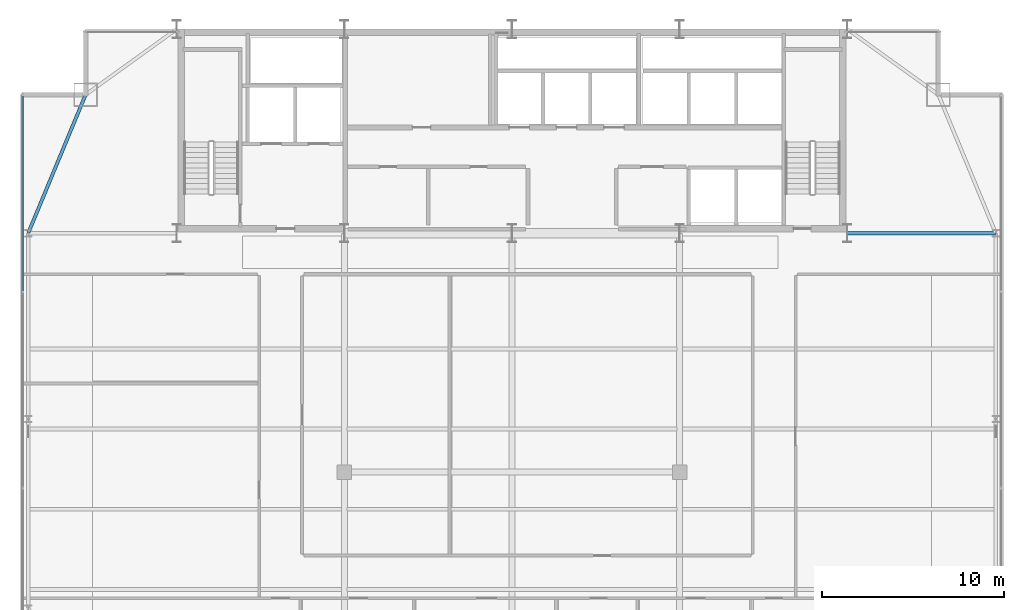
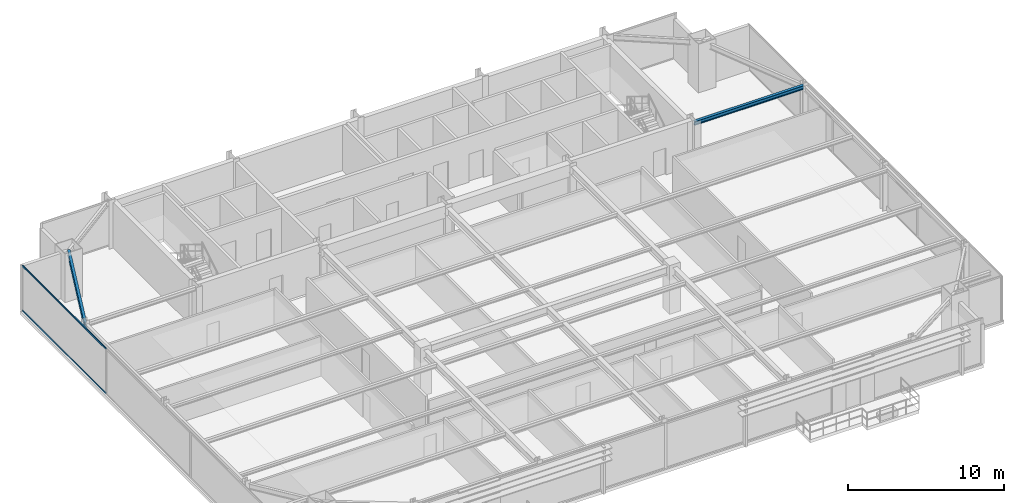
# One storey, part 18 of 30: 2 beams, 2 members, 1 element without a shape of its own.
"""IFC4 building model written with IfcOpenShell, lengths in metres."""

import ifcopenshell
import ifcopenshell.guid

model = None  # the IFC model being written
_history = None  # IfcOwnerHistory: only IFC2X3 demands one
_inside = {}  # id of a spatial element -> (the spatial element, [elements in it])
_under = {}  # id of a project, library or spatial element -> (it, [spatial elements below it])
_declared = {}  # id of a project -> (the project, [libraries it declares])
_typed = {}  # id of a type object -> (the type object, [elements of that type])
_made_of = {}  # id of a material, layer set ... -> (it, [elements and type objects made of it])


def new_model(schema):
    """Start an empty IFC model of exactly this schema.

    Asked for "IFC4X3", IfcOpenShell would pick the latest addendum, in which some entities
    have other attributes; the version numbers below select the first issue.
    IFC2X3 requires an IfcOwnerHistory on every rooted entity: one is made here for all.
    """
    global model, _history
    if schema == "IFC4X3":
        model = ifcopenshell.file(schema_version=(4, 3, 0, 0))
    else:
        model = ifcopenshell.file(schema=schema)
    _inside.clear()
    _under.clear()
    _declared.clear()
    _typed.clear()
    _made_of.clear()
    _history = None
    if model.schema == "IFC2X3":
        org = make("IfcOrganization", Name="unknown")
        user = make(
            "IfcPersonAndOrganization",
            ThePerson=make("IfcPerson", FamilyName="unknown"),
            TheOrganization=org,
        )
        app = make(
            "IfcApplication",
            ApplicationDeveloper=org,
            Version="unknown",
            ApplicationFullName="unknown",
            ApplicationIdentifier="unknown",
        )
        _history = make(
            "IfcOwnerHistory",
            OwningUser=user,
            OwningApplication=app,
            ChangeAction="ADDED",
            CreationDate=0,
        )
    return model


def make(cls, **values):
    """One entity of the class cls with the attributes given. An attribute that is None is left unset."""
    return model.create_entity(
        cls, **{name: value for name, value in values.items() if value is not None}
    )


def rooted(cls, **values):
    """An entity with a GlobalId (a new one), such as an element, a storey or a relation."""
    return make(cls, GlobalId=ifcopenshell.guid.new(), OwnerHistory=_history, **values)


def si_unit(unit_type, name, prefix=None):
    """IfcSIUnit, for example si_unit("LENGTHUNIT", "METRE", prefix="MILLI")."""
    return make("IfcSIUnit", UnitType=unit_type, Prefix=prefix, Name=name)


def assignment(units):
    """IfcUnitAssignment: the units of a project."""
    return None if units is None else make("IfcUnitAssignment", Units=units)


def point(xyz):
    """IfcCartesianPoint."""
    return None if xyz is None else make("IfcCartesianPoint", Coordinates=xyz)


def direction(xyz):
    """IfcDirection."""
    return None if xyz is None else make("IfcDirection", DirectionRatios=xyz)


def frame(location, z_axis=None, x_axis=None):
    """IfcAxis2Placement3D, a coordinate frame: its origin and axes. An axis left out is left unset."""
    return make(
        "IfcAxis2Placement3D",
        Location=point(location),
        Axis=direction(z_axis),
        RefDirection=direction(x_axis),
    )


def frame_2d(location, x_axis=None):
    """IfcAxis2Placement2D, a coordinate frame in the plane: its origin and x axis."""
    return make(
        "IfcAxis2Placement2D", Location=point(location), RefDirection=direction(x_axis)
    )


def origin():
    """The frame at (0, 0, 0) with its axes left unset."""
    return frame((0.0, 0.0, 0.0))


def origin_2d():
    """The frame at (0, 0) in the plane with its x axis left unset."""
    return frame_2d((0.0, 0.0))


def place(relative_to, where):
    """IfcLocalPlacement: puts the frame where relative to a parent placement (None: the world)."""
    return make(
        "IfcLocalPlacement", PlacementRelTo=relative_to, RelativePlacement=where
    )


def context(
    kind, dimensions, precision=None, world=None, true_north=None, identifier=None
):
    """IfcGeometricRepresentationContext, for example the 3D "Model" context."""
    return make(
        "IfcGeometricRepresentationContext",
        ContextIdentifier=identifier,
        ContextType=kind,
        CoordinateSpaceDimension=dimensions,
        Precision=precision,
        WorldCoordinateSystem=world,
        TrueNorth=true_north,
    )


def subcontext(parent, identifier, kind, view, scale=None):
    """IfcGeometricRepresentationSubContext, for example "Body" below "Model"."""
    return make(
        "IfcGeometricRepresentationSubContext",
        ContextIdentifier=identifier,
        ContextType=kind,
        ParentContext=parent,
        TargetScale=scale,
        TargetView=view,
    )


def project(units=None, contexts=None):
    """IfcProject with its units and contexts."""
    return rooted(
        "IfcProject",
        Name="project",
        RepresentationContexts=contexts,
        UnitsInContext=assignment(units),
    )


def spatial(cls, under=None, at=None, **own):
    """A site, building, storey or space (cls), placed at a placement, below another one or the project."""
    s = rooted(cls, ObjectPlacement=at, **own)
    if under is not None:
        _under.setdefault(under.id(), (under, []))[1].append(s)
    return s


def profile(cls, at=None, kind="AREA", **sizes):
    """A parametric profile (cls). Its sizes go by their IFC names, for example OverallWidth=200.0."""
    return make(cls, ProfileType=kind, Position=at, **sizes)


def hollow_rectangle(**sizes):
    """IfcRectangleHollowProfileDef."""
    return profile("IfcRectangleHollowProfileDef", **sizes)


def i_section(**sizes):
    """IfcIShapeProfileDef."""
    return profile("IfcIShapeProfileDef", **sizes)


def extrude(swept, where, along, depth):
    """IfcExtrudedAreaSolid: the profile swept, set in the frame where, extruded along a direction by depth."""
    return make(
        "IfcExtrudedAreaSolid",
        SweptArea=swept,
        Position=where,
        ExtrudedDirection=direction(along),
        Depth=depth,
    )


def shape(context_of_items, identifier, shape_type, items):
    """IfcShapeRepresentation: the items that make up one representation, for example the "Body"."""
    return make(
        "IfcShapeRepresentation",
        ContextOfItems=context_of_items,
        RepresentationIdentifier=identifier,
        RepresentationType=shape_type,
        Items=items,
    )


def source(mapping_origin, context_of_items, identifier, shape_type, items):
    """IfcRepresentationMap: a shape defined once, which mapped items show again and again."""
    return make(
        "IfcRepresentationMap",
        MappingOrigin=mapping_origin,
        MappedRepresentation=shape(context_of_items, identifier, shape_type, items),
    )


def transform(
    local_origin,
    x_axis=None,
    y_axis=None,
    z_axis=None,
    scale=None,
    scale2=None,
    scale3=None,
    uniform=True,
):
    """IfcCartesianTransformationOperator3D, or its non-uniform kind. x_axis, y_axis, z_axis: its Axis1, 2, 3."""
    if uniform:
        return make(
            "IfcCartesianTransformationOperator3D",
            Axis1=direction(x_axis),
            Axis2=direction(y_axis),
            LocalOrigin=point(local_origin),
            Scale=scale,
            Axis3=direction(z_axis),
        )
    return make(
        "IfcCartesianTransformationOperator3DnonUniform",
        Axis1=direction(x_axis),
        Axis2=direction(y_axis),
        LocalOrigin=point(local_origin),
        Scale=scale,
        Axis3=direction(z_axis),
        Scale2=scale2,
        Scale3=scale3,
    )


def mapped(mapping_source, mapping_target):
    """IfcMappedItem: shows the shape of a source again, moved by a transform."""
    return make(
        "IfcMappedItem", MappingSource=mapping_source, MappingTarget=mapping_target
    )


def material(Name=None, Category=None):
    """IfcMaterial."""
    return make("IfcMaterial", Name=Name, Category=Category)


def layer(
    of_material, thickness, ventilated=None, Name=None, Category=None, Priority=None
):
    """IfcMaterialLayer: one layer of a wall or slab, of a material (None: an air gap)."""
    return make(
        "IfcMaterialLayer",
        Material=of_material,
        LayerThickness=thickness,
        IsVentilated=ventilated,
        Name=Name,
        Category=Category,
        Priority=Priority,
    )


def layer_set(layers, Name=None):
    """IfcMaterialLayerSet."""
    return make("IfcMaterialLayerSet", MaterialLayers=layers, LayerSetName=Name)


def material_profile(
    of_material, cross_section, Name=None, Category=None, Priority=None
):
    """IfcMaterialProfile: a cross section and its material."""
    return make(
        "IfcMaterialProfile",
        Name=Name,
        Material=of_material,
        Profile=cross_section,
        Priority=Priority,
        Category=Category,
    )


def profile_set(profiles, Name=None, composite=None):
    """IfcMaterialProfileSet."""
    return make(
        "IfcMaterialProfileSet",
        Name=Name,
        MaterialProfiles=profiles,
        CompositeProfile=composite,
    )


def made_of(thing, what):
    """Note that an element or type object is made of a material, layer set ...; save() writes the relation."""
    if what is not None:
        _made_of.setdefault(what.id(), (what, []))[1].append(thing)
    return thing


def type_object(cls, material=None, **own):
    """A type object (cls), such as IfcWallType, which elements share."""
    return made_of(rooted(cls, **own), material)


def type_shapes(of_type, sources):
    """Give a type object the sources (RepresentationMaps) that its elements show as mapped items."""
    of_type.RepresentationMaps = sources


def element(
    cls,
    number,
    at=None,
    inside=None,
    cuts=None,
    type_object=None,
    material=None,
    context=None,
    identifier="Body",
    shape_type=None,
    held_by="IfcProductDefinitionShape",
    body=None,
    shapes=None,
    **own,
):
    """One element of the class cls, such as IfcWall. Its Tag is "e" and its number.

    at: its placement. inside: the storey or other place that contains it. cuts: it is an
    opening in that element (IfcRelVoidsElement). A single representation is given by context,
    identifier, shape_type and body (its items); several are given by shapes. held_by: the class
    of the entity that holds the representations. save() writes the other relations.
    """
    e = rooted(cls, Tag="e%d" % number, ObjectPlacement=at, **own)
    if body is not None:
        shapes = [shape(context, identifier, shape_type, body)]
    if shapes is not None:
        e.Representation = make(held_by, Representations=shapes)
    if inside is not None:
        _inside.setdefault(inside.id(), (inside, []))[1].append(e)
    if cuts is not None:
        rooted(
            "IfcRelVoidsElement", RelatingBuildingElement=cuts, RelatedOpeningElement=e
        )
    if type_object is not None:
        _typed.setdefault(type_object.id(), (type_object, []))[1].append(e)
    return made_of(e, material)


def aggregate(whole, parts):
    """IfcRelAggregates: a whole, such as a stair, and the parts it consists of."""
    return rooted("IfcRelAggregates", RelatingObject=whole, RelatedObjects=parts)


def save(model, path):
    """Write the relations noted so far, then the file.

    IfcRelAggregates (storeys below a building ...), IfcRelContainedInSpatialStructure (elements
    in a storey), IfcRelDefinesByType, IfcRelAssociatesMaterial and IfcRelDeclares: one each for
    every whole, place, type object, material and project.
    """
    for whole, parts in _under.values():
        aggregate(whole, parts)
    for where, things in _inside.values():
        rooted(
            "IfcRelContainedInSpatialStructure",
            RelatedElements=things,
            RelatingStructure=where,
        )
    for kind, things in _typed.values():
        rooted("IfcRelDefinesByType", RelatedObjects=things, RelatingType=kind)
    for what, things in _made_of.values():
        rooted("IfcRelAssociatesMaterial", RelatedObjects=things, RelatingMaterial=what)
    for by, libraries in _declared.values():
        rooted("IfcRelDeclares", RelatingContext=by, RelatedDefinitions=libraries)
    model.write(path)


model = new_model("IFC4")

# Units and contexts
model_context = context("Model", 3, precision=1e-05, world=origin(), true_north=direction((0.0, 1.0)))
body_context = subcontext(model_context, "Body", "Model", "MODEL_VIEW")
ifc_project = project(units=[si_unit("LENGTHUNIT", "METRE"), si_unit("AREAUNIT", "SQUARE_METRE"), si_unit("VOLUMEUNIT", "CUBIC_METRE"), si_unit("PLANEANGLEUNIT", "RADIAN"), si_unit("MASSUNIT", "GRAM", prefix="KILO")], contexts=[model_context])

# Site, building, storey
site_placement = place(None, origin())
site = spatial("IfcSite", under=ifc_project, at=site_placement, CompositionType="ELEMENT")
building_placement = place(site_placement, origin())
building = spatial("IfcBuilding", under=site, at=building_placement, Name="Varnel Quay Broadcast Tower", CompositionType="ELEMENT")
storey_placement = place(building_placement, frame((0.0, 0.0, 168.60009765625)))
storey = spatial("IfcBuildingStorey", under=building, at=storey_placement, Name="L41", CompositionType="ELEMENT", Elevation=168.60009765625)

# Beams
ifc_material_1 = material(Name="Structural Steel CSA G40.21 350W", Category="steel")
ifc_material_profile_1 = material_profile(ifc_material_1, i_section(OverallWidth=0.180908203125, OverallDepth=0.4169921875, WebThickness=0.010986328125, FlangeThickness=0.018310546875, FilletRadius=0.011962890625, at=origin_2d()), Name="W410X85")
ifc_profile_set_1 = profile_set([ifc_material_profile_1], Name="Structural Steel CSA G40.21 350W")
beam_type_1 = type_object("IfcBeamType", Name="Beam_W410X85", PredefinedType="SPANDREL", material=ifc_profile_set_1)
shared_shape_1 = source(origin(), body_context, "Body", "SweptSolid", [
    extrude(i_section(OverallWidth=0.180908203125, OverallDepth=0.4169921875, WebThickness=0.010986328125, FlangeThickness=0.018310546875, FilletRadius=0.011962890625, at=origin_2d()), origin(), (0.0, 0.0, 1.0), 8.186767578125),
])
type_shapes(beam_type_1, [shared_shape_1])
beam_1_placement = place(storey_placement, frame((7.457763671875, 35.618408203125, 3.34130859375), z_axis=(0.382874132092, 0.923800519038, 0.0), x_axis=(-0.923800519038, 0.382874132092, 0.0)))
element("IfcBeam", 1, at=beam_1_placement, inside=storey, type_object=beam_type_1, Name="L41 West Spandrel TC-W3-MC-NW", PredefinedType="SPANDREL", context=body_context, shape_type="MappedRepresentation", body=[
    mapped(shared_shape_1, transform((0.0, 0.0, 0.0), x_axis=(1.0, 0.0, 0.0), y_axis=(0.0, 1.0, 0.0), z_axis=(0.0, 0.0, 1.0), scale=1.0)),
])
ifc_material_profile_2 = material_profile(ifc_material_1, i_section(OverallWidth=0.202880859375, OverallDepth=0.302978515625, WebThickness=0.007568359375, FlangeThickness=0.01318359375, FilletRadius=0.011962890625, at=origin_2d()), Name="W310X60")
ifc_profile_set_2 = profile_set([ifc_material_profile_2], Name="Structural Steel CSA G40.21 350W")
beam_type_2 = type_object("IfcBeamType", Name="Beam_W310X60", PredefinedType="JOIST", material=ifc_profile_set_2)
shared_shape_2 = source(origin(), body_context, "Body", "SweptSolid", [
    extrude(i_section(OverallWidth=0.202880859375, OverallDepth=0.302978515625, WebThickness=0.007568359375, FlangeThickness=0.01318359375, FilletRadius=0.011962890625, at=origin_2d()), origin(), (0.0, 0.0, 1.0), 8.110107421875),
])
type_shapes(beam_type_2, [shared_shape_2])
beam_2_placement = place(storey_placement, frame((52.419921875, 35.60009765625, 3.3984375), z_axis=(1.0, 0.0, 0.0), x_axis=(0.0, 1.0, 0.0)))
element("IfcBeam", 2, at=beam_2_placement, inside=storey, type_object=beam_type_2, Name="L41 East Core Tie Joist", PredefinedType="JOIST", context=body_context, shape_type="MappedRepresentation", body=[
    mapped(shared_shape_2, transform((0.0, 0.0, 0.0), x_axis=(1.0, 0.0, 0.0), y_axis=(0.0, 1.0, 0.0), z_axis=(0.0, 0.0, 1.0), scale=1.0)),
])

# Curtain wall, members
ifc_material_2 = material(Name="Anodised Bronze Aluminium 6063-T6", Category="aluminium")
ifc_layer = layer(ifc_material_2, 0.18994140625, Name="Anodised Bronze Aluminium 6063-T6")
ifc_layer_set = layer_set([ifc_layer], Name="Anodised Bronze Aluminium 6063-T6")
curtain_wall_type = type_object("IfcCurtainWallType", Name="CW_UpperTower", PredefinedType="NOTDEFINED", material=ifc_layer_set)
curtain_wall_placement = place(storey_placement, origin())
curtain_wall = element("IfcCurtainWall", 3, at=curtain_wall_placement, inside=storey, type_object=curtain_wall_type, Name="L41 West Unitised Curtain Wall", PredefinedType="NOTDEFINED")
ifc_material_profile_3 = material_profile(ifc_material_2, hollow_rectangle(XDim=0.06005859375, YDim=0.125, WallThickness=0.0029296875, at=origin_2d()), Name="ALU60X125X3")
ifc_profile_set_3 = profile_set([ifc_material_profile_3], Name="Anodised Bronze Aluminium 6063-T6")
member_type = type_object("IfcMemberType", Name="Tran_CWS-03", PredefinedType="USERDEFINED", material=ifc_profile_set_3)
shared_shape_3 = source(origin(), body_context, "Body", "SweptSolid", [
    extrude(hollow_rectangle(XDim=0.06005859375, YDim=0.125, WallThickness=0.0029296875, at=origin_2d()), origin(), (0.0, 0.0, 1.0), 10.702392578125),
])
type_shapes(member_type, [shared_shape_3])
member_1_placement = place(storey_placement, frame((7.14990234375, 32.4326171875, 0.02978515625), z_axis=(0.0, 1.0, 0.0), x_axis=(-1.0, 0.0, 0.0)))
member_1 = element("IfcMember", 4, at=member_1_placement, type_object=member_type, Name="CWS-03 transom 3.1", ObjectType="TRANSOM", PredefinedType="USERDEFINED", context=body_context, shape_type="MappedRepresentation", body=[
    mapped(shared_shape_3, transform((0.0, 0.0, 0.0), x_axis=(1.0, 0.0, 0.0), y_axis=(0.0, 1.0, 0.0), z_axis=(0.0, 0.0, 1.0), scale=1.0)),
])
member_2_placement = place(storey_placement, frame((7.14990234375, 32.4326171875, 3.52001953125), z_axis=(0.0, 1.0, 0.0), x_axis=(-1.0, 0.0, 0.0)))
member_2 = element("IfcMember", 5, at=member_2_placement, type_object=member_type, Name="CWS-03 transom 3.2", ObjectType="TRANSOM", PredefinedType="USERDEFINED", context=body_context, shape_type="MappedRepresentation", body=[
    mapped(shared_shape_3, transform((0.0, 0.0, 0.0), x_axis=(1.0, 0.0, 0.0), y_axis=(0.0, 1.0, 0.0), z_axis=(0.0, 0.0, 1.0), scale=1.0)),
])
aggregate(curtain_wall, [member_1, member_2])

save(model, "model.ifc")
